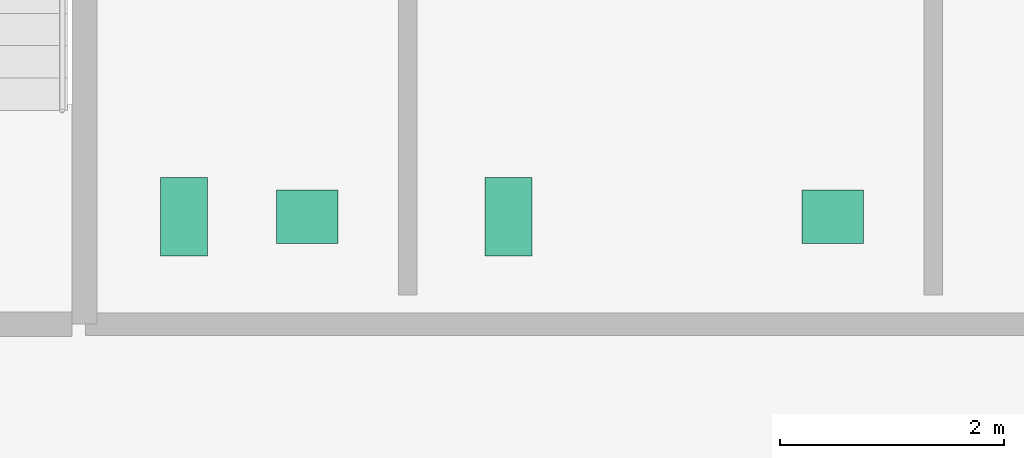
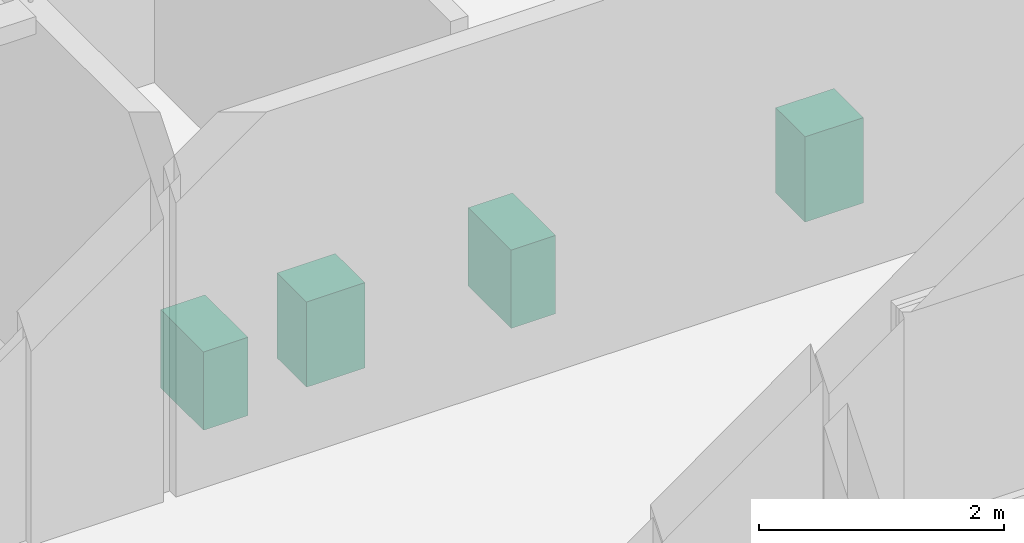
# One storey, part 13 of 13: 4 sanitary terminals.
"""IFC4 building model written with IfcOpenShell, lengths in metres."""

from ifc_helpers import new_model, si_unit, direction, frame, origin, origin_2d, place, context, subcontext, project, spatial, rectangle, extrude, material, type_object, element, save


model = new_model("IFC4")

# Units and contexts
model_context = context("Model", 3, precision=1e-05, world=origin(), true_north=direction((0.0, 1.0)))
body_context = subcontext(model_context, "Body", "Model", "MODEL_VIEW")
ifc_project = project(units=[si_unit("LENGTHUNIT", "METRE"), si_unit("AREAUNIT", "SQUARE_METRE"), si_unit("VOLUMEUNIT", "CUBIC_METRE"), si_unit("PLANEANGLEUNIT", "RADIAN"), si_unit("MASSUNIT", "GRAM", prefix="KILO")], contexts=[model_context])

# Site, building, storey
site_placement = place(None, origin())
site = spatial("IfcSite", under=ifc_project, at=site_placement, CompositionType="ELEMENT")
building_placement = place(site_placement, origin())
building = spatial("IfcBuilding", under=site, at=building_placement, Name="Norrvale University Quadrangle", CompositionType="ELEMENT")
storey_placement = place(building_placement, frame((0.0, 0.0, 35.60009765625)))
storey = spatial("IfcBuildingStorey", under=building, at=storey_placement, Name="L08", CompositionType="ELEMENT", Elevation=35.60009765625)

# Sanitary terminals
ifc_material = material(Name="Vitreous China Sanitaryware")
sanitary_terminal_type_1 = type_object("IfcSanitaryTerminalType", Name="Sanitary Wash Basin", PredefinedType="WASHHANDBASIN", material=ifc_material)
for number, where, z_axis, x_axis, name in (
    (1, (8.300048828125, 41.10009765625, -0.000244140625), (0.0, 0.0, 1.0), (1.0, 0.0, 0.0), "Accessible Countertop Washbasin L08-1"),
    (2, (13.0, 41.10009765625, -0.000244140625), (0.0, 0.0, 1.0), (1.0, 0.0, 0.0), "Accessible Countertop Washbasin L08-2"),
):
    element("IfcSanitaryTerminal", number, at=place(storey_placement, frame(where, z_axis=z_axis, x_axis=x_axis)), inside=storey, type_object=sanitary_terminal_type_1, Name=name, PredefinedType="WASHHANDBASIN", context=body_context, shape_type="SweptSolid", body=[
        extrude(rectangle(XDim=0.550048828125, YDim=0.47998046875, at=origin_2d()), origin(), (0.0, 0.0, 1.0), 0.85009765625),
    ])
sanitary_terminal_type_2 = type_object("IfcSanitaryTerminalType", Name="Sanitary Water Closet", PredefinedType="TOILETPAN", material=ifc_material)
for number, where, z_axis, x_axis, name in (
    (3, (7.199951171875, 41.10009765625, 0.0), (0.0, 0.0, 1.0), (1.0, 0.0, 0.0), "Wall-Hung Water Closet L08-1"),
    (4, (10.10009765625, 41.10009765625, 0.0), (0.0, 0.0, 1.0), (1.0, 0.0, 0.0), "Wall-Hung Water Closet L08-2"),
):
    element("IfcSanitaryTerminal", number, at=place(storey_placement, frame(where, z_axis=z_axis, x_axis=x_axis)), inside=storey, type_object=sanitary_terminal_type_2, Name=name, PredefinedType="TOILETPAN", context=body_context, shape_type="SweptSolid", body=[
        extrude(rectangle(XDim=0.419921875, YDim=0.699951171875, at=origin_2d()), origin(), (0.0, 0.0, 1.0), 0.780029296875),
    ])

save(model, "model.ifc")
